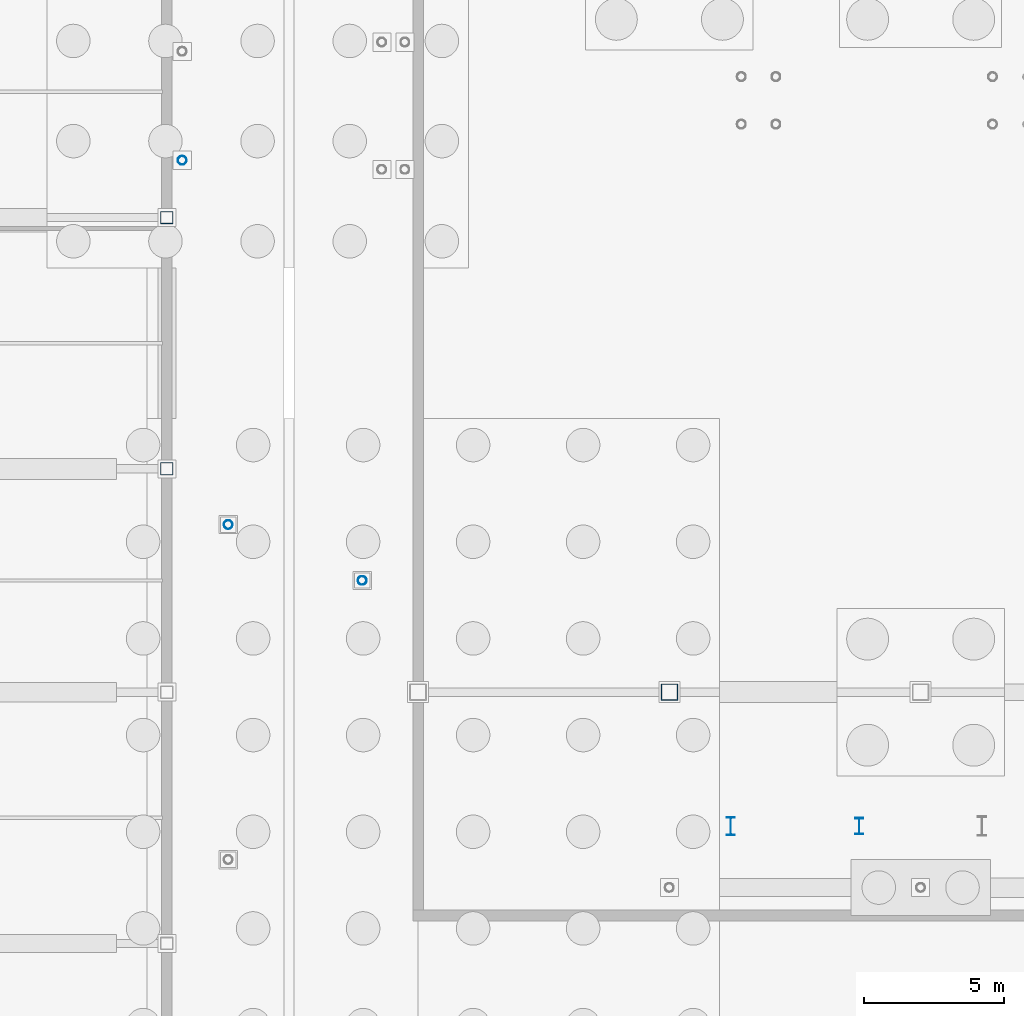
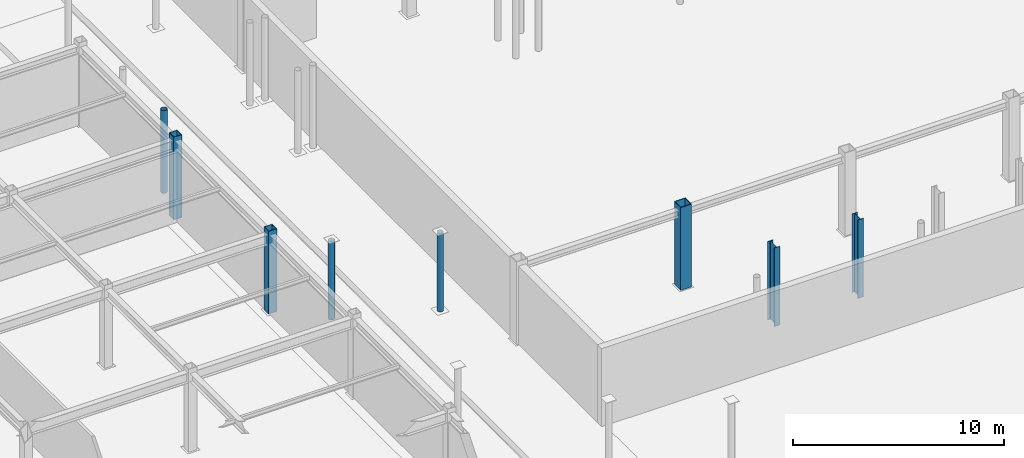
# One storey, part 15 of 74: 8 columns.
"""IFC4 building model written with IfcOpenShell, lengths in metres."""

from ifc_helpers import new_model, si_unit, direction, frame, origin, origin_2d, place, context, subcontext, project, spatial, hollow_rectangle, hollow_circle, i_section, extrude, material, material_profile, profile_set, type_object, element, save


model = new_model("IFC4")

# Units and contexts
model_context = context("Model", 3, precision=1e-05, world=origin(), true_north=direction((0.0, 1.0)))
body_context = subcontext(model_context, "Body", "Model", "MODEL_VIEW")
ifc_project = project(units=[si_unit("LENGTHUNIT", "METRE"), si_unit("AREAUNIT", "SQUARE_METRE"), si_unit("VOLUMEUNIT", "CUBIC_METRE"), si_unit("PLANEANGLEUNIT", "RADIAN"), si_unit("MASSUNIT", "GRAM", prefix="KILO")], contexts=[model_context])

# Site, building, storey
site_placement = place(None, origin())
site = spatial("IfcSite", under=ifc_project, at=site_placement, CompositionType="ELEMENT")
building_placement = place(site_placement, origin())
building = spatial("IfcBuilding", under=site, at=building_placement, Name="Suzunagisa Mobility Hub", CompositionType="ELEMENT")
storey_placement = place(building_placement, frame((0.0, 0.0, -4.800048828125)))
storey = spatial("IfcBuildingStorey", under=building, at=storey_placement, Name="B1", CompositionType="ELEMENT", Elevation=-4.800048828125)

# Columns
ifc_material = material(Name="Steel SN490B", Category="steel")
ifc_material_profile_1 = material_profile(ifc_material, hollow_rectangle(XDim=0.60009765625, YDim=0.60009765625, WallThickness=0.031982421875, at=origin_2d()), Name="BOX-600x600x32")
ifc_profile_set_1 = profile_set([ifc_material_profile_1], Name="Steel SN490B")
column_type_1 = type_object("IfcColumnType", Name="Steel Column CL-05 BOX-600x600x32", PredefinedType="COLUMN", material=ifc_profile_set_1)
column_1_placement = place(storey_placement, frame((54.0, 36.0, 0.0), z_axis=(0.0, 0.0, 1.0), x_axis=(1.0, 0.0, 0.0)))
element("IfcColumn", 1, at=column_1_placement, inside=storey, type_object=column_type_1, Name="B1 Column 126", PredefinedType="COLUMN", context=body_context, shape_type="SweptSolid", body=[
    extrude(hollow_rectangle(XDim=0.60009765625, YDim=0.60009765625, WallThickness=0.031982421875, at=origin_2d()), origin(), (0.0, 0.0, 1.0), 4.800048828125),
])
ifc_material_profile_2 = material_profile(ifc_material, i_section(OverallWidth=0.300048828125, OverallDepth=0.587890625, WebThickness=0.011962890625, FlangeThickness=0.02001953125, FilletRadius=0.012939453125, at=origin_2d()), Name="H-588x300x12x20")
ifc_profile_set_2 = profile_set([ifc_material_profile_2], Name="Steel SN490B")
column_type_2 = type_object("IfcColumnType", Name="Steel Column CL-06 H-588x300x12x20", PredefinedType="PILASTER", material=ifc_profile_set_2)
column_2_placement = place(storey_placement, frame((60.800048828125, 31.199951171875, 0.0), z_axis=(0.0, 0.0, 1.0), x_axis=(1.0, 0.0, 0.0)))
element("IfcColumn", 2, at=column_2_placement, inside=storey, type_object=column_type_2, Name="B1 Colonnade Pilaster Pier PL-02", PredefinedType="PILASTER", context=body_context, shape_type="SweptSolid", body=[
    extrude(i_section(OverallWidth=0.300048828125, OverallDepth=0.587890625, WebThickness=0.011962890625, FlangeThickness=0.02001953125, FilletRadius=0.012939453125, at=origin_2d()), origin(), (0.0, 0.0, 1.0), 4.554931640625),
])
ifc_material_profile_3 = material_profile(ifc_material, hollow_circle(Radius=0.1591796875, WallThickness=0.01025390625, at=origin_2d()), Name="CHS-318.5x10.3")
ifc_profile_set_3 = profile_set([ifc_material_profile_3], Name="Steel SN490B")
column_type_3 = type_object("IfcColumnType", Name="Steel Column CL-09 CHS-318.5x10.3", PredefinedType="COLUMN", material=ifc_profile_set_3)
column_3_placement = place(storey_placement, frame((36.550048828125, 55.050048828125, 0.0), z_axis=(0.0, 0.0, 1.0), x_axis=(1.0, 0.0, 0.0)))
element("IfcColumn", 3, at=column_3_placement, inside=storey, type_object=column_type_3, Name="B1 Column 90", PredefinedType="COLUMN", context=body_context, shape_type="SweptSolid", body=[
    extrude(hollow_circle(Radius=0.1591796875, WallThickness=0.01025390625, at=origin_2d()), origin(), (0.0, 0.0, 1.0), 4.800048828125),
])
for number, where, z_axis, x_axis, name in (
    (4, (38.199951171875, 42.0, 0.0), (0.0, 0.0, 1.0), (1.0, 0.0, 0.0), "B1 Column 98"),
    (5, (43.0, 40.0, 0.0), (0.0, 0.0, 1.0), (1.0, 0.0, 0.0), "B1 Column 101"),
):
    element("IfcColumn", number, at=place(storey_placement, frame(where, z_axis=z_axis, x_axis=x_axis)), inside=storey, type_object=column_type_3, Name=name, PredefinedType="COLUMN", context=body_context, shape_type="SweptSolid", body=[
        extrude(hollow_circle(Radius=0.1591796875, WallThickness=0.01025390625, at=origin_2d()), origin(), (0.0, 0.0, 1.0), 4.554931640625),
    ])
ifc_material_profile_4 = material_profile(ifc_material, i_section(OverallWidth=0.300048828125, OverallDepth=0.64990234375, WebThickness=0.012939453125, FlangeThickness=0.02197265625, FilletRadius=0.01611328125, at=origin_2d()), Name="H-650x300x13x22")
ifc_profile_set_4 = profile_set([ifc_material_profile_4], Name="Steel SN490B")
column_type_4 = type_object("IfcColumnType", Name="Steel Column CL-16 H-650x300x13x22", PredefinedType="PILASTER", material=ifc_profile_set_4)
column_4_placement = place(storey_placement, frame((56.199951171875, 31.199951171875, 0.0), z_axis=(0.0, 0.0, 1.0), x_axis=(1.0, 0.0, 0.0)))
element("IfcColumn", 6, at=column_4_placement, inside=storey, type_object=column_type_4, Name="B1 Colonnade Pilaster Pier PL-01", PredefinedType="PILASTER", context=body_context, shape_type="SweptSolid", body=[
    extrude(i_section(OverallWidth=0.300048828125, OverallDepth=0.64990234375, WebThickness=0.012939453125, FlangeThickness=0.02197265625, FilletRadius=0.01611328125, at=origin_2d()), origin(), (0.0, 0.0, 1.0), 4.554931640625),
])
ifc_material_profile_5 = material_profile(ifc_material, hollow_rectangle(XDim=0.449951171875, YDim=0.449951171875, WallThickness=0.02197265625, at=origin_2d()), Name="BCR-450x450x22")
ifc_profile_set_5 = profile_set([ifc_material_profile_5], Name="Steel SN490B")
column_type_5 = type_object("IfcColumnType", Name="Steel Column CL-17 BCR-450x450x22", PredefinedType="COLUMN", material=ifc_profile_set_5)
for number, where, z_axis, x_axis, name in (
    (7, (36.0, 44.0, 0.0), (0.0, 0.0, 1.0), (1.0, 0.0, 0.0), "B1 Column 82"),
    (8, (36.0, 53.0, 0.0), (0.0, 0.0, 1.0), (1.0, 0.0, 0.0), "B1 Column 83"),
):
    element("IfcColumn", number, at=place(storey_placement, frame(where, z_axis=z_axis, x_axis=x_axis)), inside=storey, type_object=column_type_5, Name=name, PredefinedType="COLUMN", context=body_context, shape_type="SweptSolid", body=[
        extrude(hollow_rectangle(XDim=0.449951171875, YDim=0.449951171875, WallThickness=0.02197265625, at=origin_2d()), origin(), (0.0, 0.0, 1.0), 4.800048828125),
    ])

save(model, "model.ifc")
